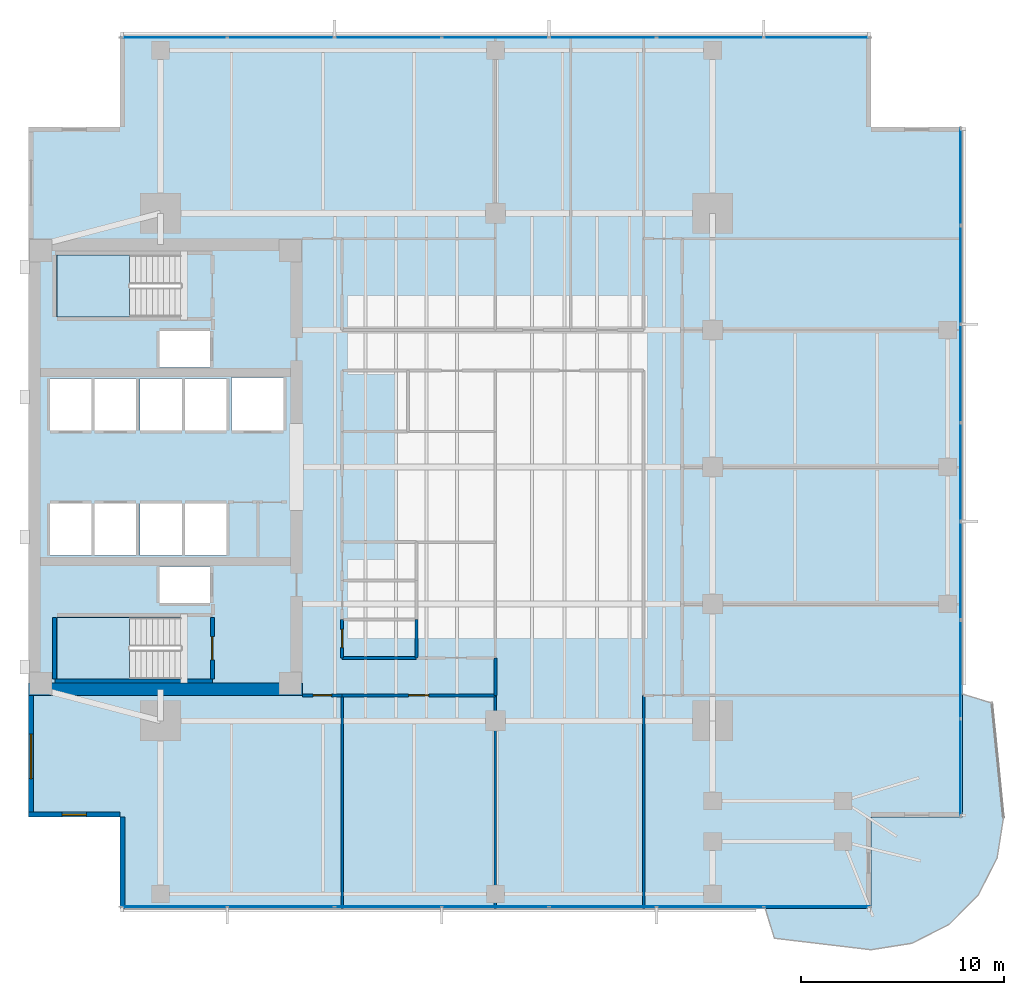
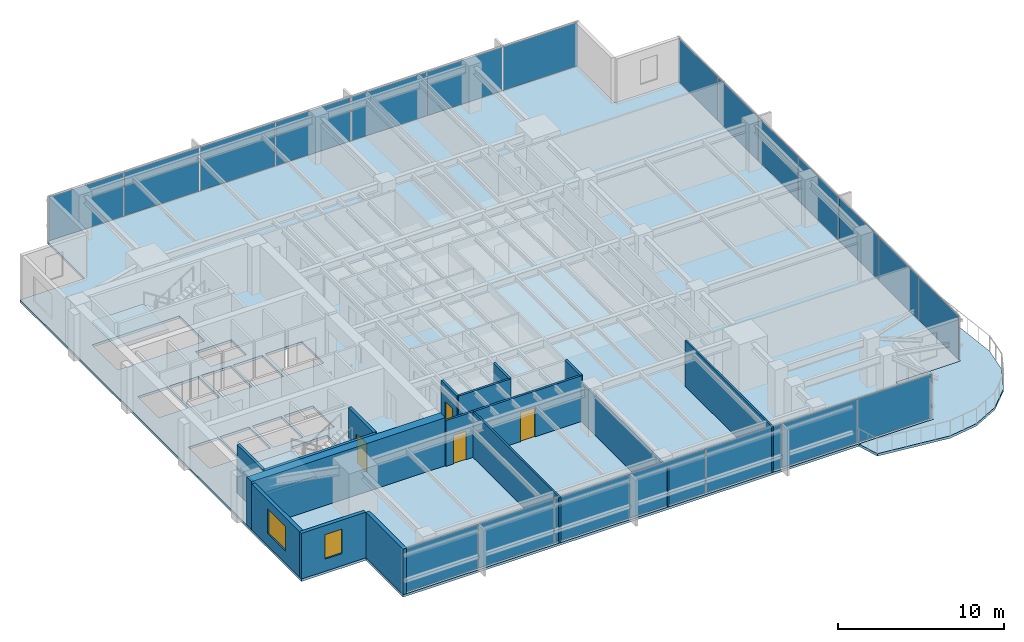
# One storey, part 7 of 14: 21 plates, 16 walls, 4 doors, 4 slabs, 2 windows, 6 openings, 5 elements without a shape of their own.
"""IFC4 building model written with IfcOpenShell, lengths in metres."""

from ifc_helpers import new_model, si_unit, direction, frame, frame_2d, origin, origin_2d, place, context, subcontext, project, spatial, polyline, rectangle, outline, extrude, material, layer, layer_set, type_object, element, fill, aggregate, save


model = new_model("IFC4")

# Units and contexts
model_context = context("Model", 3, precision=1e-05, world=origin(), true_north=direction((0.0, 1.0)))
body_context = subcontext(model_context, "Body", "Model", "MODEL_VIEW")
ifc_project = project(units=[si_unit("LENGTHUNIT", "METRE"), si_unit("AREAUNIT", "SQUARE_METRE"), si_unit("VOLUMEUNIT", "CUBIC_METRE"), si_unit("PLANEANGLEUNIT", "RADIAN"), si_unit("MASSUNIT", "GRAM", prefix="KILO")], contexts=[model_context])

# Site, building, storey
site_placement = place(None, origin())
site = spatial("IfcSite", under=ifc_project, at=site_placement, CompositionType="ELEMENT")
building_placement = place(site_placement, origin())
building = spatial("IfcBuilding", under=site, at=building_placement, Name="Kinhvarn Gate Tower", CompositionType="ELEMENT")
storey_placement = place(building_placement, frame((0.0, 0.0, 155.5)))
storey = spatial("IfcBuildingStorey", under=building, at=storey_placement, Name="L41", CompositionType="ELEMENT", Elevation=155.5)

# Curtain wall, plates
ifc_material_1 = material(Name="Anodised aluminium AW-6063", Category="aluminium")
ifc_layer_1 = layer(ifc_material_1, 0.179931640625)
ifc_layer_set_1 = layer_set([ifc_layer_1], Name="Anodised aluminium AW-6063")
curtain_wall_type = type_object("IfcCurtainWallType", Name="CW-SYS-3", PredefinedType="NOTDEFINED", material=ifc_layer_set_1)
curtain_wall_1_placement = place(storey_placement, origin())
curtain_wall_1 = element("IfcCurtainWall", 1, at=curtain_wall_1_placement, inside=storey, type_object=curtain_wall_type, Name="Curtain Wall CW3 (L41)", PredefinedType="NOTDEFINED")
ifc_material_2 = material(Name="Clear low-e double glazing", Category="glass")
ifc_layer_2 = layer(ifc_material_2, 0.031982421875)
ifc_layer_set_2 = layer_set([ifc_layer_2], Name="Clear low-e double glazing")
plate_type = type_object("IfcPlateType", Name="CW-PNL-VIS", PredefinedType="CURTAIN_PANEL", material=ifc_layer_set_2)
plate_1_placement = place(storey_placement, frame((11.6591796875, 3.590087890625, 0.070068359375), z_axis=(0.0, 0.0, 1.0), x_axis=(1.0, 0.0, 0.0)))
plate_1 = element("IfcPlate", 2, at=plate_1_placement, type_object=plate_type, Name="CW3 panel 1.1", PredefinedType="CURTAIN_PANEL", context=body_context, shape_type="SweptSolid", body=[
    extrude(rectangle(XDim=5.188232421875, YDim=0.031982421875, at=origin_2d()), origin(), (0.0, 0.0, 1.0), 3.22998046875),
])
plate_2_placement = place(storey_placement, frame((16.928466796875, 3.590087890625, 0.070068359375), z_axis=(0.0, 0.0, 1.0), x_axis=(1.0, 0.0, 0.0)))
plate_2 = element("IfcPlate", 3, at=plate_2_placement, type_object=plate_type, Name="CW3 panel 2.1", PredefinedType="CURTAIN_PANEL", context=body_context, shape_type="SweptSolid", body=[
    extrude(rectangle(XDim=5.220703125, YDim=0.031982421875, at=origin_2d()), origin(), (0.0, 0.0, 1.0), 3.22998046875),
])
plate_3_placement = place(storey_placement, frame((22.21435546875, 3.590087890625, 0.070068359375), z_axis=(0.0, 0.0, 1.0), x_axis=(1.0, 0.0, 0.0)))
plate_3 = element("IfcPlate", 4, at=plate_3_placement, type_object=plate_type, Name="CW3 panel 3.1", PredefinedType="CURTAIN_PANEL", context=body_context, shape_type="SweptSolid", body=[
    extrude(rectangle(XDim=5.220703125, YDim=0.031982421875, at=origin_2d()), origin(), (0.0, 0.0, 1.0), 3.22998046875),
])
plate_4_placement = place(storey_placement, frame((27.5, 3.590087890625, 0.070068359375), z_axis=(0.0, 0.0, 1.0), x_axis=(1.0, 0.0, 0.0)))
plate_4 = element("IfcPlate", 5, at=plate_4_placement, type_object=plate_type, Name="CW3 panel 4.1", PredefinedType="CURTAIN_PANEL", context=body_context, shape_type="SweptSolid", body=[
    extrude(rectangle(XDim=5.220703125, YDim=0.031982421875, at=origin_2d()), origin(), (0.0, 0.0, 1.0), 3.22998046875),
])
plate_5_placement = place(storey_placement, frame((32.78564453125, 3.590087890625, 0.070068359375), z_axis=(0.0, 0.0, 1.0), x_axis=(1.0, 0.0, 0.0)))
plate_5 = element("IfcPlate", 6, at=plate_5_placement, type_object=plate_type, Name="CW3 panel 5.1", PredefinedType="CURTAIN_PANEL", context=body_context, shape_type="SweptSolid", body=[
    extrude(rectangle(XDim=5.220703125, YDim=0.031982421875, at=origin_2d()), origin(), (0.0, 0.0, 1.0), 3.22998046875),
])
plate_6_placement = place(storey_placement, frame((38.071533203125, 3.590087890625, 0.070068359375), z_axis=(0.0, 0.0, 1.0), x_axis=(1.0, 0.0, 0.0)))
plate_6 = element("IfcPlate", 7, at=plate_6_placement, type_object=plate_type, Name="CW3 panel 6.1", PredefinedType="CURTAIN_PANEL", context=body_context, shape_type="SweptSolid", body=[
    extrude(rectangle(XDim=5.220703125, YDim=0.031982421875, at=origin_2d()), origin(), (0.0, 0.0, 1.0), 3.22998046875),
])
plate_7_placement = place(storey_placement, frame((43.3408203125, 3.590087890625, 0.070068359375), z_axis=(0.0, 0.0, 1.0), x_axis=(1.0, 0.0, 0.0)))
plate_7 = element("IfcPlate", 8, at=plate_7_placement, type_object=plate_type, Name="CW3 panel 7.1", PredefinedType="CURTAIN_PANEL", context=body_context, shape_type="SweptSolid", body=[
    extrude(rectangle(XDim=5.188232421875, YDim=0.031982421875, at=origin_2d()), origin(), (0.0, 0.0, 1.0), 3.22998046875),
])
aggregate(curtain_wall_1, [plate_1, plate_2, plate_3, plate_4, plate_5, plate_6, plate_7])

curtain_wall_2_placement = place(storey_placement, origin())
curtain_wall_2 = element("IfcCurtainWall", 9, at=curtain_wall_2_placement, inside=storey, type_object=curtain_wall_type, Name="Curtain Wall CW3 (L41)", PredefinedType="NOTDEFINED")
plate_8_placement = place(storey_placement, frame((43.3408203125, 46.409912109375, 0.070068359375), z_axis=(0.0, 0.0, 1.0), x_axis=(-1.0, 0.0, 0.0)))
plate_8 = element("IfcPlate", 10, at=plate_8_placement, type_object=plate_type, Name="CW3 panel 1.1", PredefinedType="CURTAIN_PANEL", context=body_context, shape_type="SweptSolid", body=[
    extrude(rectangle(XDim=5.188232421875, YDim=0.031982421875, at=origin_2d()), origin(), (0.0, 0.0, 1.0), 3.22998046875),
])
plate_9_placement = place(storey_placement, frame((38.071533203125, 46.409912109375, 0.070068359375), z_axis=(0.0, 0.0, 1.0), x_axis=(-1.0, 0.0, 0.0)))
plate_9 = element("IfcPlate", 11, at=plate_9_placement, type_object=plate_type, Name="CW3 panel 2.1", PredefinedType="CURTAIN_PANEL", context=body_context, shape_type="SweptSolid", body=[
    extrude(rectangle(XDim=5.220703125, YDim=0.031982421875, at=origin_2d()), origin(), (0.0, 0.0, 1.0), 3.22998046875),
])
plate_10_placement = place(storey_placement, frame((32.78564453125, 46.409912109375, 0.070068359375), z_axis=(0.0, 0.0, 1.0), x_axis=(-1.0, 0.0, 0.0)))
plate_10 = element("IfcPlate", 12, at=plate_10_placement, type_object=plate_type, Name="CW3 panel 3.1", PredefinedType="CURTAIN_PANEL", context=body_context, shape_type="SweptSolid", body=[
    extrude(rectangle(XDim=5.220703125, YDim=0.031982421875, at=origin_2d()), origin(), (0.0, 0.0, 1.0), 3.22998046875),
])
plate_11_placement = place(storey_placement, frame((27.5, 46.409912109375, 0.070068359375), z_axis=(0.0, 0.0, 1.0), x_axis=(-1.0, 0.0, 0.0)))
plate_11 = element("IfcPlate", 13, at=plate_11_placement, type_object=plate_type, Name="CW3 panel 4.1", PredefinedType="CURTAIN_PANEL", context=body_context, shape_type="SweptSolid", body=[
    extrude(rectangle(XDim=5.220703125, YDim=0.031982421875, at=origin_2d()), origin(), (0.0, 0.0, 1.0), 3.22998046875),
])
plate_12_placement = place(storey_placement, frame((22.21435546875, 46.409912109375, 0.070068359375), z_axis=(0.0, 0.0, 1.0), x_axis=(-1.0, 0.0, 0.0)))
plate_12 = element("IfcPlate", 14, at=plate_12_placement, type_object=plate_type, Name="CW3 panel 5.1", PredefinedType="CURTAIN_PANEL", context=body_context, shape_type="SweptSolid", body=[
    extrude(rectangle(XDim=5.220703125, YDim=0.031982421875, at=origin_2d()), origin(), (0.0, 0.0, 1.0), 3.22998046875),
])
plate_13_placement = place(storey_placement, frame((16.928466796875, 46.409912109375, 0.070068359375), z_axis=(0.0, 0.0, 1.0), x_axis=(-1.0, 0.0, 0.0)))
plate_13 = element("IfcPlate", 15, at=plate_13_placement, type_object=plate_type, Name="CW3 panel 6.1", PredefinedType="CURTAIN_PANEL", context=body_context, shape_type="SweptSolid", body=[
    extrude(rectangle(XDim=5.220703125, YDim=0.031982421875, at=origin_2d()), origin(), (0.0, 0.0, 1.0), 3.22998046875),
])
plate_14_placement = place(storey_placement, frame((11.6591796875, 46.409912109375, 0.070068359375), z_axis=(0.0, 0.0, 1.0), x_axis=(-1.0, 0.0, 0.0)))
plate_14 = element("IfcPlate", 16, at=plate_14_placement, type_object=plate_type, Name="CW3 panel 7.1", PredefinedType="CURTAIN_PANEL", context=body_context, shape_type="SweptSolid", body=[
    extrude(rectangle(XDim=5.188232421875, YDim=0.031982421875, at=origin_2d()), origin(), (0.0, 0.0, 1.0), 3.22998046875),
])
aggregate(curtain_wall_2, [plate_8, plate_9, plate_10, plate_11, plate_12, plate_13, plate_14])

curtain_wall_3_placement = place(storey_placement, origin())
curtain_wall_3 = element("IfcCurtainWall", 17, at=curtain_wall_3_placement, inside=storey, type_object=curtain_wall_type, Name="Curtain Wall CW3 (L41)", PredefinedType="NOTDEFINED")
plate_15_placement = place(storey_placement, frame((50.409912109375, 10.44482421875, 0.070068359375), z_axis=(0.0, 0.0, 1.0), x_axis=(0.0, 1.0, 0.0)))
plate_15 = element("IfcPlate", 18, at=plate_15_placement, type_object=plate_type, Name="CW3 panel 1.1", PredefinedType="CURTAIN_PANEL", context=body_context, shape_type="SweptSolid", body=[
    extrude(rectangle(XDim=4.759521484375, YDim=0.031982421875, at=origin_2d()), origin(), (0.0, 0.0, 1.0), 3.22998046875),
])
plate_16_placement = place(storey_placement, frame((50.409912109375, 15.28564453125, 0.070068359375), z_axis=(0.0, 0.0, 1.0), x_axis=(0.0, 1.0, 0.0)))
plate_16 = element("IfcPlate", 19, at=plate_16_placement, type_object=plate_type, Name="CW3 panel 2.1", PredefinedType="CURTAIN_PANEL", context=body_context, shape_type="SweptSolid", body=[
    extrude(rectangle(XDim=4.792236328125, YDim=0.031982421875, at=origin_2d()), origin(), (0.0, 0.0, 1.0), 3.22998046875),
])
plate_17_placement = place(storey_placement, frame((50.409912109375, 20.142822265625, 0.070068359375), z_axis=(0.0, 0.0, 1.0), x_axis=(0.0, 1.0, 0.0)))
plate_17 = element("IfcPlate", 20, at=plate_17_placement, type_object=plate_type, Name="CW3 panel 3.1", PredefinedType="CURTAIN_PANEL", context=body_context, shape_type="SweptSolid", body=[
    extrude(rectangle(XDim=4.792236328125, YDim=0.031982421875, at=origin_2d()), origin(), (0.0, 0.0, 1.0), 3.22998046875),
])
plate_18_placement = place(storey_placement, frame((50.409912109375, 25.0, 0.070068359375), z_axis=(0.0, 0.0, 1.0), x_axis=(0.0, 1.0, 0.0)))
plate_18 = element("IfcPlate", 21, at=plate_18_placement, type_object=plate_type, Name="CW3 panel 4.1", PredefinedType="CURTAIN_PANEL", context=body_context, shape_type="SweptSolid", body=[
    extrude(rectangle(XDim=4.792236328125, YDim=0.031982421875, at=origin_2d()), origin(), (0.0, 0.0, 1.0), 3.22998046875),
])
plate_19_placement = place(storey_placement, frame((50.409912109375, 29.857177734375, 0.070068359375), z_axis=(0.0, 0.0, 1.0), x_axis=(0.0, 1.0, 0.0)))
plate_19 = element("IfcPlate", 22, at=plate_19_placement, type_object=plate_type, Name="CW3 panel 5.1", PredefinedType="CURTAIN_PANEL", context=body_context, shape_type="SweptSolid", body=[
    extrude(rectangle(XDim=4.792236328125, YDim=0.031982421875, at=origin_2d()), origin(), (0.0, 0.0, 1.0), 3.22998046875),
])
plate_20_placement = place(storey_placement, frame((50.409912109375, 34.71435546875, 0.070068359375), z_axis=(0.0, 0.0, 1.0), x_axis=(0.0, 1.0, 0.0)))
plate_20 = element("IfcPlate", 23, at=plate_20_placement, type_object=plate_type, Name="CW3 panel 6.1", PredefinedType="CURTAIN_PANEL", context=body_context, shape_type="SweptSolid", body=[
    extrude(rectangle(XDim=4.792236328125, YDim=0.031982421875, at=origin_2d()), origin(), (0.0, 0.0, 1.0), 3.22998046875),
])
plate_21_placement = place(storey_placement, frame((50.409912109375, 39.55517578125, 0.070068359375), z_axis=(0.0, 0.0, 1.0), x_axis=(0.0, 1.0, 0.0)))
plate_21 = element("IfcPlate", 24, at=plate_21_placement, type_object=plate_type, Name="CW3 panel 7.1", PredefinedType="CURTAIN_PANEL", context=body_context, shape_type="SweptSolid", body=[
    extrude(rectangle(XDim=4.759521484375, YDim=0.031982421875, at=origin_2d()), origin(), (0.0, 0.0, 1.0), 3.22998046875),
])
aggregate(curtain_wall_3, [plate_15, plate_16, plate_17, plate_18, plate_19, plate_20, plate_21])

# Slabs
ifc_material_3 = material(Name="Precast white architectural concrete C40/50", Category="concrete")
ifc_layer_3 = layer(ifc_material_3, 0.179931640625)
ifc_layer_set_3 = layer_set([ifc_layer_3], Name="Precast white architectural concrete C40/50")
slab_type_1 = type_object("IfcSlabType", Name="SLB-BAL-180", PredefinedType="FLOOR", material=ifc_layer_set_3)
slab_1_placement = place(storey_placement, frame((0.0, 0.0, -0.179931640625)))
element("IfcSlab", 25, at=slab_1_placement, inside=storey, type_object=slab_type_1, Name="S-Carve Curved Terrace Balcony Slab L41 (SE)", PredefinedType="FLOOR", context=body_context, shape_type="SweptSolid", body=[
    extrude(outline(polyline([(40.791015625, 3.5), (41.240966796875, 2.041259765625), (46.0, 1.47412109375), (48.0166015625, 1.79345703125), (49.8359375, 2.720458984375), (51.279541015625, 4.1640625), (52.20654296875, 5.9833984375), (52.52587890625, 8.0), (51.958740234375, 13.6201171875), (50.5, 14.070068359375), (50.5, 8.0), (46.0, 8.0), (46.0, 3.5), (40.791015625, 3.5)])), origin(), (0.0, 0.0, 1.0), 0.179931640625),
])
ifc_material_4 = material(Name="Concrete C40/50", Category="concrete")
ifc_layer_4 = layer(ifc_material_4, 0.179931640625)
ifc_layer_set_4 = layer_set([ifc_layer_4], Name="Concrete C40/50")
slab_type_2 = type_object("IfcSlabType", Name="SLB-FLR-180", PredefinedType="FLOOR", material=ifc_layer_set_4)
slab_2_placement = place(storey_placement, frame((0.0, 0.0, -0.179931640625)))
element("IfcSlab", 26, at=slab_2_placement, inside=storey, type_object=slab_type_2, Name="Suspended Floor Slab L41", PredefinedType="FLOOR", context=body_context, shape_type="SweptSolid", body=[
    extrude(outline(polyline([(9.0, 3.5), (46.0, 3.5), (46.0, 8.0), (50.5, 8.0), (50.5, 42.0), (46.0, 42.0), (46.0, 46.5), (9.0, 46.5), (9.0, 42.0), (4.5, 42.0), (4.5, 8.0), (9.0, 8.0), (9.0, 3.5)]), holes=[polyline([(5.89990234375, 14.800048828125), (12.0, 14.800048828125), (12.0, 17.85009765625), (5.89990234375, 17.85009765625), (5.89990234375, 14.800048828125)]), polyline([(5.89990234375, 32.64990234375), (12.0, 32.64990234375), (12.0, 35.699951171875), (5.89990234375, 35.699951171875), (5.89990234375, 32.64990234375)]), polyline([(5.550048828125, 20.89990234375), (7.60009765625, 20.89990234375), (7.60009765625, 23.449951171875), (5.550048828125, 23.449951171875), (5.550048828125, 20.89990234375)]), polyline([(7.75, 20.89990234375), (9.800048828125, 20.89990234375), (9.800048828125, 23.449951171875), (7.75, 23.449951171875), (7.75, 20.89990234375)]), polyline([(5.550048828125, 27.050048828125), (7.60009765625, 27.050048828125), (7.60009765625, 29.60009765625), (5.550048828125, 29.60009765625), (5.550048828125, 27.050048828125)]), polyline([(7.75, 27.050048828125), (9.800048828125, 27.050048828125), (9.800048828125, 29.60009765625), (7.75, 29.60009765625), (7.75, 27.050048828125)]), polyline([(10.0, 20.89990234375), (12.050048828125, 20.89990234375), (12.050048828125, 23.449951171875), (10.0, 23.449951171875), (10.0, 20.89990234375)]), polyline([(12.199951171875, 20.89990234375), (14.25, 20.89990234375), (14.25, 23.449951171875), (12.199951171875, 23.449951171875), (12.199951171875, 20.89990234375)]), polyline([(10.0, 27.050048828125), (12.050048828125, 27.050048828125), (12.050048828125, 29.60009765625), (10.0, 29.60009765625), (10.0, 27.050048828125)]), polyline([(12.199951171875, 27.050048828125), (14.25, 27.050048828125), (14.25, 29.60009765625), (12.199951171875, 29.60009765625), (12.199951171875, 27.050048828125)]), polyline([(14.5, 27.050048828125), (17.050048828125, 27.050048828125), (17.050048828125, 29.64990234375), (14.5, 29.64990234375), (14.5, 27.050048828125)]), polyline([(10.949951171875, 18.550048828125), (13.449951171875, 18.550048828125), (13.449951171875, 20.35009765625), (10.949951171875, 20.35009765625), (10.949951171875, 18.550048828125)]), polyline([(10.949951171875, 30.14990234375), (13.449951171875, 30.14990234375), (13.449951171875, 31.949951171875), (10.949951171875, 31.949951171875), (10.949951171875, 30.14990234375)])]), origin(), (0.0, 0.0, 1.0), 0.179931640625),
])

# Stair, slab
stair_type = type_object("IfcStairType", Name="STR-DLG-178", PredefinedType="HALF_TURN_STAIR", material=ifc_material_4)
stair_1_placement = place(storey_placement, origin())
stair_1 = element("IfcStair", 27, at=stair_1_placement, inside=storey, type_object=stair_type, Name="L41 Core Smokeproof Exit Stair ST1", PredefinedType="HALF_TURN_STAIR")
ifc_layer_5 = layer(ifc_material_4, 0.199951171875)
ifc_layer_set_5 = layer_set([ifc_layer_5], Name="Concrete C40/50")
slab_type_3 = type_object("IfcSlabType", Name="SLB-ST-LND", PredefinedType="LANDING", material=ifc_layer_set_5)
slab_3_placement = place(storey_placement, frame((0.0, 0.0, 1.574951171875)))
slab_3 = element("IfcSlab", 28, at=slab_3_placement, type_object=slab_type_3, Name="ST1 landing 1", PredefinedType="LANDING", context=body_context, shape_type="SweptSolid", body=[
    extrude(outline(polyline([(9.47998046875, 17.85009765625), (5.89990234375, 17.85009765625), (5.89990234375, 14.800048828125), (9.47998046875, 14.800048828125), (9.47998046875, 17.85009765625)])), origin(), (0.0, 0.0, 1.0), 0.199951171875),
])
aggregate(stair_1, [slab_3])

stair_2_placement = place(storey_placement, origin())
stair_2 = element("IfcStair", 29, at=stair_2_placement, inside=storey, type_object=stair_type, Name="L41 Core Smokeproof Exit Stair ST2", PredefinedType="HALF_TURN_STAIR")
slab_4_placement = place(storey_placement, frame((0.0, 0.0, 1.574951171875)))
slab_4 = element("IfcSlab", 30, at=slab_4_placement, type_object=slab_type_3, Name="ST2 landing 1", PredefinedType="LANDING", context=body_context, shape_type="SweptSolid", body=[
    extrude(outline(polyline([(9.47998046875, 35.699951171875), (5.89990234375, 35.699951171875), (5.89990234375, 32.64990234375), (9.47998046875, 32.64990234375), (9.47998046875, 35.699951171875)])), origin(), (0.0, 0.0, 1.0), 0.199951171875),
])
aggregate(stair_2, [slab_4])

# Wall
ifc_material_5 = material(Name="Concrete C60/75", Category="concrete")
ifc_layer_6 = layer(ifc_material_5, 0.60009765625)
ifc_layer_set_6 = layer_set([ifc_layer_6], Name="Concrete C60/75")
wall_type_1 = type_object("IfcWallType", Name="WL-CORE-600", PredefinedType="SHEAR", material=ifc_layer_set_6)
wall_1_placement = place(storey_placement, frame((4.5, 14.300048828125, 0.0), z_axis=(0.0, 0.0, 1.0), x_axis=(1.0, 0.0, 0.0)))
element("IfcWall", 31, at=wall_1_placement, inside=storey, type_object=wall_type_1, Name="Core South Shear Wall L41 600 mm", PredefinedType="SHEAR", context=body_context, shape_type="SweptSolid", body=[
    extrude(rectangle(XDim=13.5, YDim=0.60009765625, at=frame_2d((6.75, 0.0))), origin(), (0.0, 0.0, 1.0), 3.550048828125),
])

# Wall, opening, window
ifc_material_6 = material(Name="Fired architectural terracotta", Category="masonry")
ifc_layer_7 = layer(ifc_material_6, 0.25)
ifc_layer_set_7 = layer_set([ifc_layer_7], Name="Fired architectural terracotta")
wall_type_2 = type_object("IfcWallType", Name="WL-EXT-250", PredefinedType="SOLIDWALL", material=ifc_layer_set_7)
wall_2_placement = place(storey_placement, frame((4.625, 14.0, 0.0), z_axis=(0.0, 0.0, 1.0), x_axis=(0.0, -1.0, 0.0)))
wall_2 = element("IfcWall", 32, at=wall_2_placement, inside=storey, type_object=wall_type_2, Name="Exterior Solidwall Wall EW-250 (L41 West-South)", PredefinedType="SOLIDWALL", context=body_context, shape_type="SweptSolid", body=[
    extrude(rectangle(XDim=6.0, YDim=0.25, at=frame_2d((3.0, 0.0))), origin(), (0.0, 0.0, 1.0), 3.3701171875),
])
opening_1_placement = place(wall_2_placement, frame((1.89990234375, 0.0, 0.89990234375)))
opening_1 = element("IfcOpeningElement", 33, at=opening_1_placement, cuts=wall_2, Name="Opening WN-01", PredefinedType="OPENING", context=body_context, shape_type="SweptSolid", body=[
    extrude(rectangle(XDim=2.199951171875, YDim=1.800048828125, at=frame_2d((1.10009765625, 0.89990234375))), frame((0.0, 0.135009765625, 0.0), z_axis=(0.0, -1.0, 0.0), x_axis=(1.0, 0.0, 0.0)), (0.0, 0.0, 1.0), 0.27001953125),
])
window_type_1 = type_object("IfcWindowType", Name="WIN-RIB-2200", PartitioningType="SINGLE_PANEL", PredefinedType="WINDOW", material=ifc_material_2)
window_1_placement = place(opening_1_placement, origin())
window_1 = element("IfcWindow", 34, at=window_1_placement, inside=storey, type_object=window_type_1, Name="West Flank Double-Glazed Ribbon Window 2200x1800 mm (L41)", OverallHeight=1.800048828125, OverallWidth=2.199951171875, PartitioningType="SINGLE_PANEL", PredefinedType="WINDOW", context=body_context, shape_type="SweptSolid", body=[
    extrude(rectangle(XDim=2.199951171875, YDim=1.800048828125, at=frame_2d((1.10009765625, 0.89990234375))), frame((0.0, 0.030029296875, 0.0), z_axis=(0.0, -1.0, 0.0), x_axis=(1.0, 0.0, 0.0)), (0.0, 0.0, 1.0), 0.06005859375),
])
fill(opening_1, window_1)

wall_3_placement = place(storey_placement, frame((4.5, 8.125, 0.0), z_axis=(0.0, 0.0, 1.0), x_axis=(1.0, 0.0, 0.0)))
wall_3 = element("IfcWall", 35, at=wall_3_placement, inside=storey, type_object=wall_type_2, Name="Exterior Solidwall Wall EW-250 (L41 SW-Notch-1)", PredefinedType="SOLIDWALL", context=body_context, shape_type="SweptSolid", body=[
    extrude(rectangle(XDim=4.5, YDim=0.25, at=frame_2d((2.25, 0.0))), origin(), (0.0, 0.0, 1.0), 3.3701171875),
])
opening_2_placement = place(wall_3_placement, frame((1.64990234375, 0.0, 0.89990234375)))
opening_2 = element("IfcOpeningElement", 36, at=opening_2_placement, cuts=wall_3, Name="Opening WN-02", PredefinedType="OPENING", context=body_context, shape_type="SweptSolid", body=[
    extrude(rectangle(XDim=1.199951171875, YDim=1.800048828125, at=frame_2d((0.60009765625, 0.89990234375))), frame((0.0, 0.135009765625, 0.0), z_axis=(0.0, -1.0, 0.0), x_axis=(1.0, 0.0, 0.0)), (0.0, 0.0, 1.0), 0.27001953125),
])
window_type_2 = type_object("IfcWindowType", Name="WIN-NTC-1200", PartitioningType="SINGLE_PANEL", PredefinedType="WINDOW", material=ifc_material_2)
window_2_placement = place(opening_2_placement, origin())
window_2 = element("IfcWindow", 37, at=window_2_placement, inside=storey, type_object=window_type_2, Name="Recessed Corner Notch Punched Window 1200x1800 mm (L41)", OverallHeight=1.800048828125, OverallWidth=1.199951171875, PartitioningType="SINGLE_PANEL", PredefinedType="WINDOW", context=body_context, shape_type="SweptSolid", body=[
    extrude(rectangle(XDim=1.199951171875, YDim=1.800048828125, at=frame_2d((0.60009765625, 0.89990234375))), frame((0.0, 0.030029296875, 0.0), z_axis=(0.0, -1.0, 0.0), x_axis=(1.0, 0.0, 0.0)), (0.0, 0.0, 1.0), 0.06005859375),
])
fill(opening_2, window_2)

# Walls
wall_4_placement = place(storey_placement, frame((9.125, 8.0, 0.0), z_axis=(0.0, 0.0, 1.0), x_axis=(0.0, -1.0, 0.0)))
element("IfcWall", 38, at=wall_4_placement, inside=storey, type_object=wall_type_2, Name="Exterior Solidwall Wall EW-250 (L41 SW-Notch-2)", PredefinedType="SOLIDWALL", context=body_context, shape_type="SweptSolid", body=[
    extrude(rectangle(XDim=4.5, YDim=0.25, at=frame_2d((2.25, 0.0))), origin(), (0.0, 0.0, 1.0), 3.3701171875),
])
ifc_material_7 = material(Name="Gypsum acoustic partition board")
ifc_layer_8 = layer(ifc_material_7, 0.14990234375)
ifc_layer_set_8 = layer_set([ifc_layer_8], Name="Gypsum acoustic partition board")
wall_type_3 = type_object("IfcWallType", Name="WL-PLM-150", PredefinedType="PLUMBINGWALL", material=ifc_layer_set_8)
wall_5_placement = place(storey_placement, frame((23.60009765625, 15.85009765625, 0.0), z_axis=(0.0, 0.0, 1.0), x_axis=(0.0, 1.0, 0.0)))
element("IfcWall", 39, at=wall_5_placement, inside=storey, type_object=wall_type_3, Name="Interior Partition PLW-150 (L41)", PredefinedType="PLUMBINGWALL", context=body_context, shape_type="SweptSolid", body=[
    extrude(rectangle(XDim=1.89990234375, YDim=0.14990234375, at=frame_2d((0.949951171875, 0.0))), origin(), (0.0, 0.0, 1.0), 3.3701171875),
])

# Wall, opening, door
ifc_layer_9 = layer(ifc_material_7, 0.14990234375)
ifc_layer_set_9 = layer_set([ifc_layer_9], Name="Gypsum acoustic partition board")
wall_type_4 = type_object("IfcWallType", Name="WL-PLM-150F", PredefinedType="PLUMBINGWALL", material=ifc_layer_set_9)
wall_6_placement = place(storey_placement, frame((19.949951171875, 15.85009765625, 0.0), z_axis=(0.0, 0.0, 1.0), x_axis=(0.0, 1.0, 0.0)))
wall_6 = element("IfcWall", 40, at=wall_6_placement, inside=storey, type_object=wall_type_4, Name="Interior Partition PLW-150F (L41)", PredefinedType="PLUMBINGWALL", context=body_context, shape_type="SweptSolid", body=[
    extrude(rectangle(XDim=1.89990234375, YDim=0.14990234375, at=frame_2d((0.949951171875, 0.0))), origin(), (0.0, 0.0, 1.0), 3.3701171875),
])
opening_3_placement = place(wall_6_placement, frame((0.5, 0.0, 0.0)))
opening_3 = element("IfcOpeningElement", 41, at=opening_3_placement, cuts=wall_6, Name="Opening FD-04", PredefinedType="OPENING", context=body_context, shape_type="SweptSolid", body=[
    extrude(rectangle(XDim=0.89990234375, YDim=2.10009765625, at=frame_2d((0.449951171875, 1.050048828125))), frame((0.0, 0.0849609375, 0.0), z_axis=(0.0, -1.0, 0.0), x_axis=(1.0, 0.0, 0.0)), (0.0, 0.0, 1.0), 0.169921875),
])
door_type_1 = type_object("IfcDoorType", Name="DR-FD-900", OperationType="NOTDEFINED", PredefinedType="DOOR", material=ifc_material_1)
door_1_placement = place(opening_3_placement, origin())
door_1 = element("IfcDoor", 42, at=door_1_placement, inside=storey, type_object=door_type_1, Name="Rated Riser & Service Closet Fire Door 900x2100 mm (L41)", OperationType="SINGLE_SWING_LEFT", OverallHeight=2.10009765625, OverallWidth=0.89990234375, PredefinedType="DOOR", context=body_context, shape_type="SweptSolid", body=[
    extrude(rectangle(XDim=0.89990234375, YDim=2.10009765625, at=frame_2d((0.449951171875, 1.050048828125))), frame((0.0, 0.02490234375, 0.0), z_axis=(0.0, -1.0, 0.0), x_axis=(1.0, 0.0, 0.0)), (0.0, 0.0, 1.0), 0.050048828125),
])
fill(opening_3, door_1)

# Walls
wall_7_placement = place(storey_placement, frame((19.949951171875, 15.85009765625, 0.0), z_axis=(0.0, 0.0, 1.0), x_axis=(1.0, 0.0, 0.0)))
element("IfcWall", 43, at=wall_7_placement, inside=storey, type_object=wall_type_4, Name="Interior Partition PLW-150F (L41)", PredefinedType="PLUMBINGWALL", context=body_context, shape_type="SweptSolid", body=[
    extrude(rectangle(XDim=3.650146484375, YDim=0.14990234375, at=frame_2d((1.8251953125, 0.0))), origin(), (0.0, 0.0, 1.0), 3.3701171875),
])
ifc_layer_10 = layer(ifc_material_7, 0.1201171875)
ifc_layer_set_10 = layer_set([ifc_layer_10], Name="Gypsum acoustic partition board")
wall_type_5 = type_object("IfcWallType", Name="WL-PRT-120", PredefinedType="PARTITIONING", material=ifc_layer_set_10)
wall_8_placement = place(storey_placement, frame((19.949951171875, 3.510009765625, 0.0), z_axis=(0.0, 0.0, 1.0), x_axis=(0.0, 1.0, 0.0)))
element("IfcWall", 44, at=wall_8_placement, inside=storey, type_object=wall_type_5, Name="Interior Partition PW-120 (L41)", PredefinedType="PARTITIONING", context=body_context, shape_type="SweptSolid", body=[
    extrude(rectangle(XDim=10.489990234375, YDim=0.1201171875, at=frame_2d((5.2451171875, 0.0))), origin(), (0.0, 0.0, 1.0), 3.3701171875),
])
wall_9_placement = place(storey_placement, frame((27.5, 3.510009765625, 0.0), z_axis=(0.0, 0.0, 1.0), x_axis=(0.0, 1.0, 0.0)))
element("IfcWall", 45, at=wall_9_placement, inside=storey, type_object=wall_type_5, Name="Interior Partition PW-120 (L41)", PredefinedType="PARTITIONING", context=body_context, shape_type="SweptSolid", body=[
    extrude(rectangle(XDim=10.489990234375, YDim=0.1201171875, at=frame_2d((5.2451171875, 0.0))), origin(), (0.0, 0.0, 1.0), 2.8701171875),
])
wall_10_placement = place(storey_placement, frame((34.800048828125, 3.510009765625, 0.0), z_axis=(0.0, 0.0, 1.0), x_axis=(0.0, 1.0, 0.0)))
element("IfcWall", 46, at=wall_10_placement, inside=storey, type_object=wall_type_5, Name="Interior Partition PW-120 (L41)", PredefinedType="PARTITIONING", context=body_context, shape_type="SweptSolid", body=[
    extrude(rectangle(XDim=10.489990234375, YDim=0.1201171875, at=frame_2d((5.2451171875, 0.0))), origin(), (0.0, 0.0, 1.0), 3.3701171875),
])

# Wall, opening, door
ifc_layer_11 = layer(ifc_material_7, 0.14990234375)
ifc_layer_set_11 = layer_set([ifc_layer_11], Name="Gypsum acoustic partition board")
wall_type_6 = type_object("IfcWallType", Name="WL-PRT-150F", PredefinedType="PARTITIONING", material=ifc_layer_set_11)
wall_11_placement = place(storey_placement, frame((18.0, 14.0, 0.0), z_axis=(0.0, 0.0, 1.0), x_axis=(1.0, 0.0, 0.0)))
wall_11 = element("IfcWall", 47, at=wall_11_placement, inside=storey, type_object=wall_type_6, Name="Interior Partition PW-150F (L41)", PredefinedType="PARTITIONING", context=body_context, shape_type="SweptSolid", body=[
    extrude(rectangle(XDim=1.949951171875, YDim=0.14990234375, at=frame_2d((0.97509765625, 0.0))), origin(), (0.0, 0.0, 1.0), 3.3701171875),
])
opening_4_placement = place(wall_11_placement, frame((0.52490234375, 0.0, 0.0)))
opening_4 = element("IfcOpeningElement", 48, at=opening_4_placement, cuts=wall_11, Name="Opening ID-03", PredefinedType="OPENING", context=body_context, shape_type="SweptSolid", body=[
    extrude(rectangle(XDim=0.89990234375, YDim=2.10009765625, at=frame_2d((0.449951171875, 1.050048828125))), frame((0.0, 0.0849609375, 0.0), z_axis=(0.0, -1.0, 0.0), x_axis=(1.0, 0.0, 0.0)), (0.0, 0.0, 1.0), 0.169921875),
])
door_type_2 = type_object("IfcDoorType", Name="DR-INT-900", OperationType="NOTDEFINED", PredefinedType="DOOR", material=ifc_material_1)
door_2_placement = place(opening_4_placement, origin())
door_2 = element("IfcDoor", 49, at=door_2_placement, inside=storey, type_object=door_type_2, Name="Cellular Office & Restroom Door 900x2100 mm (L41)", OperationType="SINGLE_SWING_LEFT", OverallHeight=2.10009765625, OverallWidth=0.89990234375, PredefinedType="DOOR", context=body_context, shape_type="SweptSolid", body=[
    extrude(rectangle(XDim=0.89990234375, YDim=2.10009765625, at=frame_2d((0.449951171875, 1.050048828125))), frame((0.0, 0.02490234375, 0.0), z_axis=(0.0, -1.0, 0.0), x_axis=(1.0, 0.0, 0.0)), (0.0, 0.0, 1.0), 0.050048828125),
])
fill(opening_4, door_2)

wall_12_placement = place(storey_placement, frame((19.949951171875, 14.0, 0.0), z_axis=(0.0, 0.0, 1.0), x_axis=(1.0, 0.0, 0.0)))
wall_12 = element("IfcWall", 50, at=wall_12_placement, inside=storey, type_object=wall_type_6, Name="Interior Partition PW-150F (L41)", PredefinedType="PARTITIONING", context=body_context, shape_type="SweptSolid", body=[
    extrude(rectangle(XDim=7.550048828125, YDim=0.14990234375, at=frame_2d((3.77490234375, 0.0))), origin(), (0.0, 0.0, 1.0), 3.3701171875),
])
opening_5_placement = place(wall_12_placement, frame((3.27490234375, 0.0, 0.0)))
opening_5 = element("IfcOpeningElement", 51, at=opening_5_placement, cuts=wall_12, Name="Opening ID-02", PredefinedType="OPENING", context=body_context, shape_type="SweptSolid", body=[
    extrude(rectangle(XDim=1.0, YDim=2.14990234375, at=frame_2d((0.5, 1.074951171875))), frame((0.0, 0.0849609375, 0.0), z_axis=(0.0, -1.0, 0.0), x_axis=(1.0, 0.0, 0.0)), (0.0, 0.0, 1.0), 0.169921875),
])
door_type_3 = type_object("IfcDoorType", Name="DR-INT-1000", OperationType="NOTDEFINED", PredefinedType="DOOR", material=ifc_material_1)
door_3_placement = place(opening_5_placement, origin())
door_3 = element("IfcDoor", 52, at=door_3_placement, inside=storey, type_object=door_type_3, Name="Standard Office & Meeting Room Door 1000x2150 mm (L41)", OperationType="SINGLE_SWING_RIGHT", OverallHeight=2.14990234375, OverallWidth=1.0, PredefinedType="DOOR", context=body_context, shape_type="SweptSolid", body=[
    extrude(rectangle(XDim=1.0, YDim=2.14990234375, at=frame_2d((0.5, 1.074951171875))), frame((0.0, 0.02490234375, 0.0), z_axis=(0.0, -1.0, 0.0), x_axis=(1.0, 0.0, 0.0)), (0.0, 0.0, 1.0), 0.050048828125),
])
fill(opening_5, door_3)

# Walls
wall_13_placement = place(storey_placement, frame((27.5, 14.0, 0.0), z_axis=(0.0, 0.0, 1.0), x_axis=(0.0, 1.0, 0.0)))
element("IfcWall", 53, at=wall_13_placement, inside=storey, type_object=wall_type_6, Name="Interior Partition PW-150F (L41)", PredefinedType="PARTITIONING", context=body_context, shape_type="SweptSolid", body=[
    extrude(rectangle(XDim=1.85009765625, YDim=0.14990234375, at=frame_2d((0.925048828125, 0.0))), origin(), (0.0, 0.0, 1.0), 3.3701171875),
])
ifc_layer_12 = layer(ifc_material_4, 0.199951171875)
ifc_layer_set_12 = layer_set([ifc_layer_12], Name="Concrete C40/50")
wall_type_7 = type_object("IfcWallType", Name="WL-SHF-200", PredefinedType="SOLIDWALL", material=ifc_layer_set_12)
wall_14_placement = place(storey_placement, frame((5.800048828125, 14.699951171875, 0.0), z_axis=(0.0, 0.0, 1.0), x_axis=(1.0, 0.0, 0.0)))
element("IfcWall", 54, at=wall_14_placement, inside=storey, type_object=wall_type_7, Name="Stair ST1 South Shaft Wall (L41)", PredefinedType="SOLIDWALL", context=body_context, shape_type="SweptSolid", body=[
    extrude(rectangle(XDim=7.75, YDim=0.199951171875, at=frame_2d((3.875, 0.0))), origin(), (0.0, 0.0, 1.0), 3.550048828125),
])
wall_15_placement = place(storey_placement, frame((5.7900390625, 14.800048828125, 0.0), z_axis=(0.0, 0.0, 1.0), x_axis=(0.0, 1.0, 0.0)))
element("IfcWall", 55, at=wall_15_placement, inside=storey, type_object=wall_type_7, Name="Stair ST1 West Shaft Wall (L41)", PredefinedType="SOLIDWALL", context=body_context, shape_type="SweptSolid", body=[
    extrude(rectangle(XDim=3.050048828125, YDim=0.199951171875, at=frame_2d((1.52490234375, 0.0))), origin(), (0.0, 0.0, 1.0), 3.550048828125),
])

# Wall, opening, door
wall_16_placement = place(storey_placement, frame((13.56005859375, 14.800048828125, 0.0), z_axis=(0.0, 0.0, 1.0), x_axis=(0.0, 1.0, 0.0)))
wall_16 = element("IfcWall", 56, at=wall_16_placement, inside=storey, type_object=wall_type_7, Name="Stair ST1 East Entry Wall (L41)", PredefinedType="SOLIDWALL", context=body_context, shape_type="SweptSolid", body=[
    extrude(rectangle(XDim=3.050048828125, YDim=0.199951171875, at=frame_2d((1.52490234375, 0.0))), origin(), (0.0, 0.0, 1.0), 3.550048828125),
])
opening_6_placement = place(wall_16_placement, frame((0.949951171875, 0.0, 0.0)))
opening_6 = element("IfcOpeningElement", 57, at=opening_6_placement, cuts=wall_16, Name="Opening FD-01", PredefinedType="OPENING", context=body_context, shape_type="SweptSolid", body=[
    extrude(rectangle(XDim=1.14990234375, YDim=2.14990234375, at=frame_2d((0.574951171875, 1.074951171875))), frame((0.0, 0.10986328125, 0.0), z_axis=(0.0, -1.0, 0.0), x_axis=(1.0, 0.0, 0.0)), (0.0, 0.0, 1.0), 0.219970703125),
])
door_type_4 = type_object("IfcDoorType", Name="DR-ST-1150", OperationType="NOTDEFINED", PredefinedType="DOOR", material=ifc_material_1)
door_4_placement = place(opening_6_placement, origin())
door_4 = element("IfcDoor", 58, at=door_4_placement, inside=storey, type_object=door_type_4, Name="Exit Stair ST1 Fire Door (L41)", OperationType="SINGLE_SWING_LEFT", OverallHeight=2.14990234375, OverallWidth=1.14990234375, PredefinedType="DOOR", context=body_context, shape_type="SweptSolid", body=[
    extrude(rectangle(XDim=1.14990234375, YDim=2.14990234375, at=frame_2d((0.574951171875, 1.074951171875))), frame((0.0, 0.02490234375, 0.0), z_axis=(0.0, -1.0, 0.0), x_axis=(1.0, 0.0, 0.0)), (0.0, 0.0, 1.0), 0.050048828125),
])
fill(opening_6, door_4)

save(model, "model.ifc")
